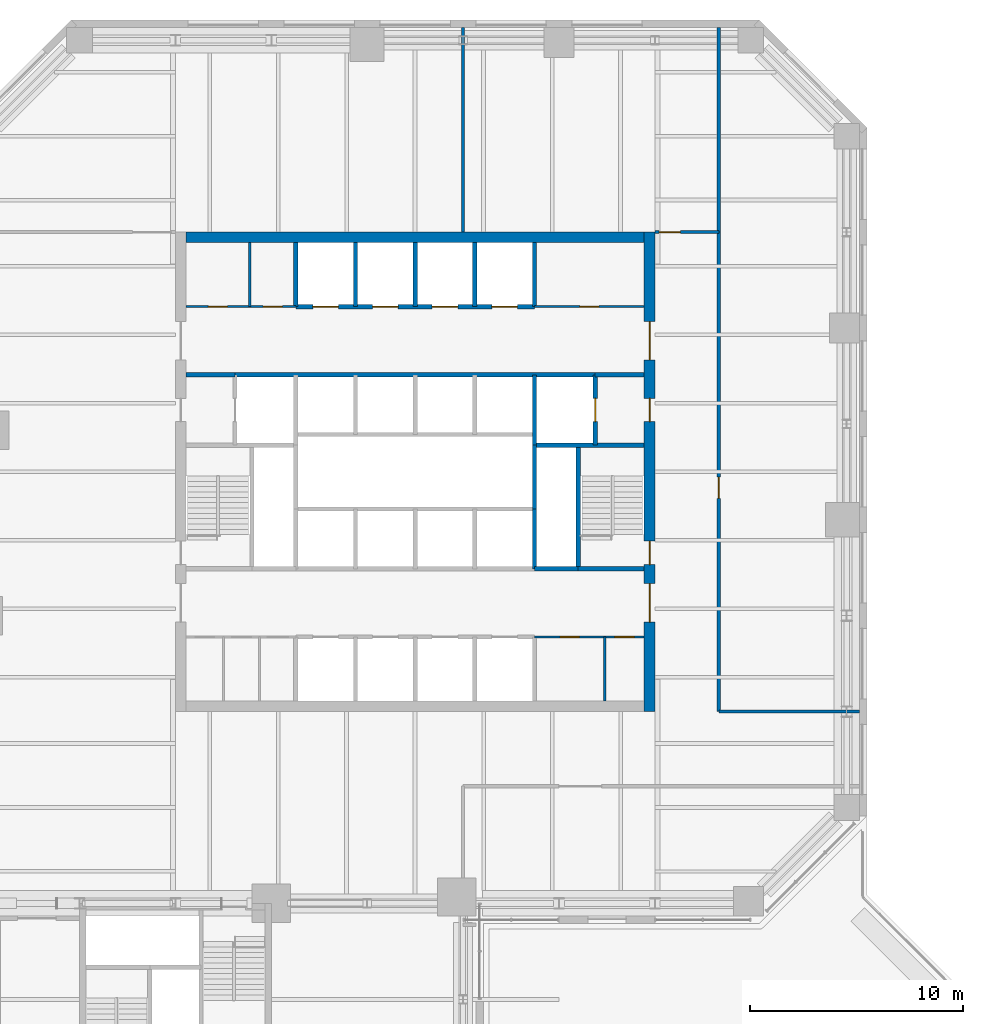
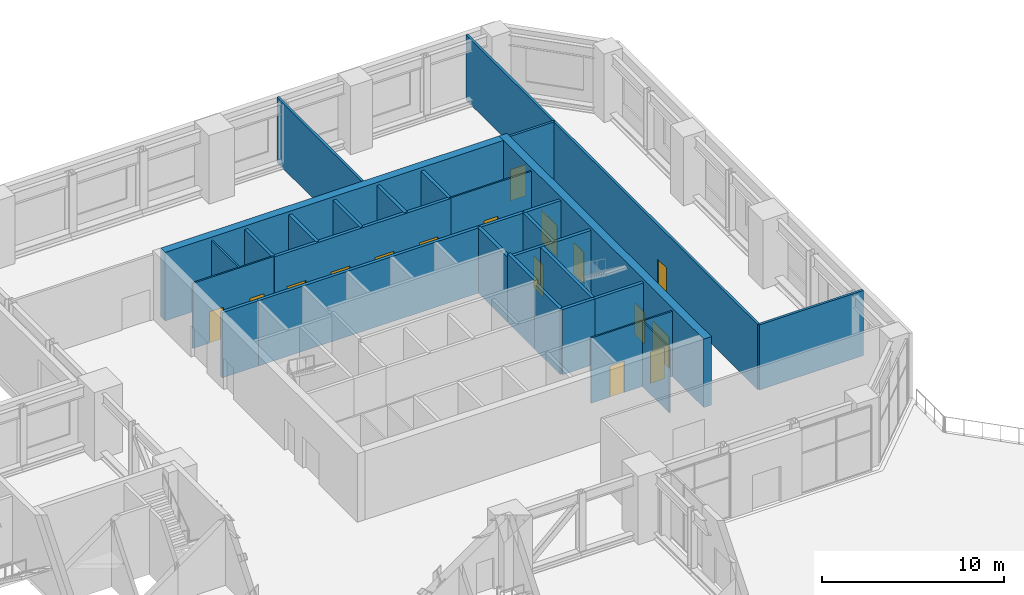
# One storey, part 16 of 21: 29 walls, 16 doors, 16 openings.
"""IFC4 building model written with IfcOpenShell, lengths in metres."""

import ifcopenshell
import ifcopenshell.guid

model = None  # the IFC model being written
_history = None  # IfcOwnerHistory: only IFC2X3 demands one
_inside = {}  # id of a spatial element -> (the spatial element, [elements in it])
_under = {}  # id of a project, library or spatial element -> (it, [spatial elements below it])
_declared = {}  # id of a project -> (the project, [libraries it declares])
_typed = {}  # id of a type object -> (the type object, [elements of that type])
_made_of = {}  # id of a material, layer set ... -> (it, [elements and type objects made of it])


def new_model(schema):
    """Start an empty IFC model of exactly this schema.

    Asked for "IFC4X3", IfcOpenShell would pick the latest addendum, in which some entities
    have other attributes; the version numbers below select the first issue.
    IFC2X3 requires an IfcOwnerHistory on every rooted entity: one is made here for all.
    """
    global model, _history
    if schema == "IFC4X3":
        model = ifcopenshell.file(schema_version=(4, 3, 0, 0))
    else:
        model = ifcopenshell.file(schema=schema)
    _inside.clear()
    _under.clear()
    _declared.clear()
    _typed.clear()
    _made_of.clear()
    _history = None
    if model.schema == "IFC2X3":
        org = make("IfcOrganization", Name="unknown")
        user = make(
            "IfcPersonAndOrganization",
            ThePerson=make("IfcPerson", FamilyName="unknown"),
            TheOrganization=org,
        )
        app = make(
            "IfcApplication",
            ApplicationDeveloper=org,
            Version="unknown",
            ApplicationFullName="unknown",
            ApplicationIdentifier="unknown",
        )
        _history = make(
            "IfcOwnerHistory",
            OwningUser=user,
            OwningApplication=app,
            ChangeAction="ADDED",
            CreationDate=0,
        )
    return model


def make(cls, **values):
    """One entity of the class cls with the attributes given. An attribute that is None is left unset."""
    return model.create_entity(
        cls, **{name: value for name, value in values.items() if value is not None}
    )


def rooted(cls, **values):
    """An entity with a GlobalId (a new one), such as an element, a storey or a relation."""
    return make(cls, GlobalId=ifcopenshell.guid.new(), OwnerHistory=_history, **values)


def si_unit(unit_type, name, prefix=None):
    """IfcSIUnit, for example si_unit("LENGTHUNIT", "METRE", prefix="MILLI")."""
    return make("IfcSIUnit", UnitType=unit_type, Prefix=prefix, Name=name)


def assignment(units):
    """IfcUnitAssignment: the units of a project."""
    return None if units is None else make("IfcUnitAssignment", Units=units)


def point(xyz):
    """IfcCartesianPoint."""
    return None if xyz is None else make("IfcCartesianPoint", Coordinates=xyz)


def direction(xyz):
    """IfcDirection."""
    return None if xyz is None else make("IfcDirection", DirectionRatios=xyz)


def frame(location, z_axis=None, x_axis=None):
    """IfcAxis2Placement3D, a coordinate frame: its origin and axes. An axis left out is left unset."""
    return make(
        "IfcAxis2Placement3D",
        Location=point(location),
        Axis=direction(z_axis),
        RefDirection=direction(x_axis),
    )


def frame_2d(location, x_axis=None):
    """IfcAxis2Placement2D, a coordinate frame in the plane: its origin and x axis."""
    return make(
        "IfcAxis2Placement2D", Location=point(location), RefDirection=direction(x_axis)
    )


def origin():
    """The frame at (0, 0, 0) with its axes left unset."""
    return frame((0.0, 0.0, 0.0))


def place(relative_to, where):
    """IfcLocalPlacement: puts the frame where relative to a parent placement (None: the world)."""
    return make(
        "IfcLocalPlacement", PlacementRelTo=relative_to, RelativePlacement=where
    )


def context(
    kind, dimensions, precision=None, world=None, true_north=None, identifier=None
):
    """IfcGeometricRepresentationContext, for example the 3D "Model" context."""
    return make(
        "IfcGeometricRepresentationContext",
        ContextIdentifier=identifier,
        ContextType=kind,
        CoordinateSpaceDimension=dimensions,
        Precision=precision,
        WorldCoordinateSystem=world,
        TrueNorth=true_north,
    )


def subcontext(parent, identifier, kind, view, scale=None):
    """IfcGeometricRepresentationSubContext, for example "Body" below "Model"."""
    return make(
        "IfcGeometricRepresentationSubContext",
        ContextIdentifier=identifier,
        ContextType=kind,
        ParentContext=parent,
        TargetScale=scale,
        TargetView=view,
    )


def project(units=None, contexts=None):
    """IfcProject with its units and contexts."""
    return rooted(
        "IfcProject",
        Name="project",
        RepresentationContexts=contexts,
        UnitsInContext=assignment(units),
    )


def spatial(cls, under=None, at=None, **own):
    """A site, building, storey or space (cls), placed at a placement, below another one or the project."""
    s = rooted(cls, ObjectPlacement=at, **own)
    if under is not None:
        _under.setdefault(under.id(), (under, []))[1].append(s)
    return s


def profile(cls, at=None, kind="AREA", **sizes):
    """A parametric profile (cls). Its sizes go by their IFC names, for example OverallWidth=200.0."""
    return make(cls, ProfileType=kind, Position=at, **sizes)


def rectangle(**sizes):
    """IfcRectangleProfileDef."""
    return profile("IfcRectangleProfileDef", **sizes)


def extrude(swept, where, along, depth):
    """IfcExtrudedAreaSolid: the profile swept, set in the frame where, extruded along a direction by depth."""
    return make(
        "IfcExtrudedAreaSolid",
        SweptArea=swept,
        Position=where,
        ExtrudedDirection=direction(along),
        Depth=depth,
    )


def shape(context_of_items, identifier, shape_type, items):
    """IfcShapeRepresentation: the items that make up one representation, for example the "Body"."""
    return make(
        "IfcShapeRepresentation",
        ContextOfItems=context_of_items,
        RepresentationIdentifier=identifier,
        RepresentationType=shape_type,
        Items=items,
    )


def material(Name=None, Category=None):
    """IfcMaterial."""
    return make("IfcMaterial", Name=Name, Category=Category)


def layer(
    of_material, thickness, ventilated=None, Name=None, Category=None, Priority=None
):
    """IfcMaterialLayer: one layer of a wall or slab, of a material (None: an air gap)."""
    return make(
        "IfcMaterialLayer",
        Material=of_material,
        LayerThickness=thickness,
        IsVentilated=ventilated,
        Name=Name,
        Category=Category,
        Priority=Priority,
    )


def layer_set(layers, Name=None):
    """IfcMaterialLayerSet."""
    return make("IfcMaterialLayerSet", MaterialLayers=layers, LayerSetName=Name)


def made_of(thing, what):
    """Note that an element or type object is made of a material, layer set ...; save() writes the relation."""
    if what is not None:
        _made_of.setdefault(what.id(), (what, []))[1].append(thing)
    return thing


def type_object(cls, material=None, **own):
    """A type object (cls), such as IfcWallType, which elements share."""
    return made_of(rooted(cls, **own), material)


def element(
    cls,
    number,
    at=None,
    inside=None,
    cuts=None,
    type_object=None,
    material=None,
    context=None,
    identifier="Body",
    shape_type=None,
    held_by="IfcProductDefinitionShape",
    body=None,
    shapes=None,
    **own,
):
    """One element of the class cls, such as IfcWall. Its Tag is "e" and its number.

    at: its placement. inside: the storey or other place that contains it. cuts: it is an
    opening in that element (IfcRelVoidsElement). A single representation is given by context,
    identifier, shape_type and body (its items); several are given by shapes. held_by: the class
    of the entity that holds the representations. save() writes the other relations.
    """
    e = rooted(cls, Tag="e%d" % number, ObjectPlacement=at, **own)
    if body is not None:
        shapes = [shape(context, identifier, shape_type, body)]
    if shapes is not None:
        e.Representation = make(held_by, Representations=shapes)
    if inside is not None:
        _inside.setdefault(inside.id(), (inside, []))[1].append(e)
    if cuts is not None:
        rooted(
            "IfcRelVoidsElement", RelatingBuildingElement=cuts, RelatedOpeningElement=e
        )
    if type_object is not None:
        _typed.setdefault(type_object.id(), (type_object, []))[1].append(e)
    return made_of(e, material)


def fill(opening, filler):
    """IfcRelFillsElement: the door or window that sits in an opening."""
    return rooted(
        "IfcRelFillsElement",
        RelatingOpeningElement=opening,
        RelatedBuildingElement=filler,
    )


def aggregate(whole, parts):
    """IfcRelAggregates: a whole, such as a stair, and the parts it consists of."""
    return rooted("IfcRelAggregates", RelatingObject=whole, RelatedObjects=parts)


def save(model, path):
    """Write the relations noted so far, then the file.

    IfcRelAggregates (storeys below a building ...), IfcRelContainedInSpatialStructure (elements
    in a storey), IfcRelDefinesByType, IfcRelAssociatesMaterial and IfcRelDeclares: one each for
    every whole, place, type object, material and project.
    """
    for whole, parts in _under.values():
        aggregate(whole, parts)
    for where, things in _inside.values():
        rooted(
            "IfcRelContainedInSpatialStructure",
            RelatedElements=things,
            RelatingStructure=where,
        )
    for kind, things in _typed.values():
        rooted("IfcRelDefinesByType", RelatedObjects=things, RelatingType=kind)
    for what, things in _made_of.values():
        rooted("IfcRelAssociatesMaterial", RelatedObjects=things, RelatingMaterial=what)
    for by, libraries in _declared.values():
        rooted("IfcRelDeclares", RelatingContext=by, RelatedDefinitions=libraries)
    model.write(path)


model = new_model("IFC4")

# Units and contexts
model_context = context("Model", 3, precision=1e-05, world=origin(), true_north=direction((0.0, 1.0)))
body_context = subcontext(model_context, "Body", "Model", "MODEL_VIEW")
ifc_project = project(units=[si_unit("LENGTHUNIT", "METRE"), si_unit("AREAUNIT", "SQUARE_METRE"), si_unit("VOLUMEUNIT", "CUBIC_METRE"), si_unit("PLANEANGLEUNIT", "RADIAN"), si_unit("MASSUNIT", "GRAM", prefix="KILO")], contexts=[model_context])

# Site, building, storey
site_placement = place(None, origin())
site = spatial("IfcSite", under=ifc_project, at=site_placement, CompositionType="ELEMENT")
building_placement = place(site_placement, origin())
building = spatial("IfcBuilding", under=site, at=building_placement, Name="Quoin Convention Tower", CompositionType="ELEMENT")
storey_placement = place(building_placement, frame((0.0, 0.0, 18.5)))
storey = spatial("IfcBuildingStorey", under=building, at=storey_placement, Name="L03", CompositionType="ELEMENT", Elevation=18.5)

# Wall, openings, doors
ifc_material_1 = material(Name="Plasterboard")
ifc_layer_1 = layer(ifc_material_1, 0.012451171875, Name="Finish")
ifc_material_2 = material(Name="Steel stud framing", Category="steel")
ifc_layer_2 = layer(ifc_material_2, 0.074951171875, Name="Structure")
ifc_layer_3 = layer(ifc_material_1, 0.012451171875, Name="Finish")
ifc_layer_set_1 = layer_set([ifc_layer_1, ifc_layer_2, ifc_layer_3], Name="Steel stud framing")
wall_type_1 = type_object("IfcWallType", Name="Core partition wall", PredefinedType="PARTITIONING", material=ifc_layer_set_1)
wall_1_placement = place(storey_placement, frame((61.85009765625, 53.0, 0.0), z_axis=(0.0, 0.0, 1.0), x_axis=(1.0, 0.0, 0.0)))
wall_1 = element("IfcWall", 1, at=wall_1_placement, inside=storey, type_object=wall_type_1, Name="cr-C1-L03-h3500_16850", PredefinedType="PARTITIONING", context=body_context, shape_type="SweptSolid", body=[
    extrude(rectangle(XDim=5.14990234375, YDim=0.10009765625, at=frame_2d((2.574951171875, 0.0))), origin(), (0.0, 0.0, 1.0), 4.3798828125),
])
opening_1_placement = place(wall_1_placement, frame((3.77294921875, 0.0, 0.0)))
opening_1 = element("IfcOpeningElement", 2, at=opening_1_placement, cuts=wall_1, Name="Opening DCV1-24", PredefinedType="OPENING", context=body_context, shape_type="SweptSolid", body=[
    extrude(rectangle(XDim=0.89990234375, YDim=2.10009765625, at=frame_2d((0.449951171875, 1.050048828125))), frame((0.0, 0.06005859375, 0.0), z_axis=(0.0, -1.0, 0.0), x_axis=(1.0, 0.0, 0.0)), (0.0, 0.0, 1.0), 0.1201171875),
])
opening_2_placement = place(wall_1_placement, frame((1.197998046875, 0.0, 0.0)))
opening_2 = element("IfcOpeningElement", 3, at=opening_2_placement, cuts=wall_1, Name="Opening DCV1-20", PredefinedType="OPENING", context=body_context, shape_type="SweptSolid", body=[
    extrude(rectangle(XDim=0.89990234375, YDim=2.10009765625, at=frame_2d((0.449951171875, 1.050048828125))), frame((0.0, 0.06005859375, 0.0), z_axis=(0.0, -1.0, 0.0), x_axis=(1.0, 0.0, 0.0)), (0.0, 0.0, 1.0), 0.1201171875),
])
ifc_material_3 = material(Name="Steel door leaf", Category="steel")
door_type_1 = type_object("IfcDoorType", Name="Core room door 900 x 2100", OperationType="SINGLE_SWING_LEFT", PredefinedType="DOOR", material=ifc_material_3)
door_1_placement = place(opening_1_placement, frame((0.89990234375, 0.0, 0.0), z_axis=(0.0, 0.0, 1.0), x_axis=(-1.0, 0.0, 0.0)))
door_1 = element("IfcDoor", 4, at=door_1_placement, inside=storey, type_object=door_type_1, Name="cd-C1-L03-CSE0-lobA-CD0310", OperationType="SINGLE_SWING_LEFT", OverallHeight=2.10009765625, OverallWidth=0.89990234375, PredefinedType="DOOR", context=body_context, shape_type="SweptSolid", body=[
    extrude(rectangle(XDim=0.89990234375, YDim=2.10009765625, at=frame_2d((0.449951171875, 1.050048828125))), frame((0.0, 0.02490234375, 0.0), z_axis=(0.0, -1.0, 0.0), x_axis=(1.0, 0.0, 0.0)), (0.0, 0.0, 1.0), 0.050048828125),
])
fill(opening_1, door_1)
door_2_placement = place(opening_2_placement, frame((0.89990234375, 0.0, 0.0), z_axis=(0.0, 0.0, 1.0), x_axis=(-1.0, 0.0, 0.0)))
door_2 = element("IfcDoor", 5, at=door_2_placement, inside=storey, type_object=door_type_1, Name="cd-C1-L03-CSE1-lobA-CD0311", OperationType="SINGLE_SWING_RIGHT", OverallHeight=2.10009765625, OverallWidth=0.89990234375, PredefinedType="DOOR", context=body_context, shape_type="SweptSolid", body=[
    extrude(rectangle(XDim=0.89990234375, YDim=2.10009765625, at=frame_2d((0.449951171875, 1.050048828125))), frame((0.0, 0.02490234375, 0.0), z_axis=(0.0, -1.0, 0.0), x_axis=(1.0, 0.0, 0.0)), (0.0, 0.0, 1.0), 0.050048828125),
])
fill(opening_2, door_2)

wall_2_placement = place(storey_placement, frame((45.5, 68.5, 0.0), z_axis=(0.0, 0.0, 1.0), x_axis=(1.0, 0.0, 0.0)))
wall_2 = element("IfcWall", 6, at=wall_2_placement, inside=storey, type_object=wall_type_1, Name="cr-C1-L03-h19000_500", PredefinedType="PARTITIONING", context=body_context, shape_type="SweptSolid", body=[
    extrude(rectangle(XDim=5.14990234375, YDim=0.10009765625, at=frame_2d((2.574951171875, 0.0))), origin(), (0.0, 0.0, 1.0), 4.3798828125),
])
opening_3_placement = place(wall_2_placement, frame((1.04345703125, 0.0, 0.0)))
opening_3 = element("IfcOpeningElement", 7, at=opening_3_placement, cuts=wall_2, Name="Opening DCV1-15", PredefinedType="OPENING", context=body_context, shape_type="SweptSolid", body=[
    extrude(rectangle(XDim=0.89990234375, YDim=2.10009765625, at=frame_2d((0.449951171875, 1.050048828125))), frame((0.0, 0.06005859375, 0.0), z_axis=(0.0, -1.0, 0.0), x_axis=(1.0, 0.0, 0.0)), (0.0, 0.0, 1.0), 0.1201171875),
])
opening_4_placement = place(wall_2_placement, frame((3.618408203125, 0.0, 0.0)))
opening_4 = element("IfcOpeningElement", 8, at=opening_4_placement, cuts=wall_2, Name="Opening DCV1-16", PredefinedType="OPENING", context=body_context, shape_type="SweptSolid", body=[
    extrude(rectangle(XDim=0.89990234375, YDim=2.10009765625, at=frame_2d((0.449951171875, 1.050048828125))), frame((0.0, 0.06005859375, 0.0), z_axis=(0.0, -1.0, 0.0), x_axis=(1.0, 0.0, 0.0)), (0.0, 0.0, 1.0), 0.1201171875),
])
door_3_placement = place(opening_3_placement, origin())
door_3 = element("IfcDoor", 9, at=door_3_placement, inside=storey, type_object=door_type_1, Name="cd-C1-L03-CNW0-lobB-CD0308", OperationType="SINGLE_SWING_RIGHT", OverallHeight=2.10009765625, OverallWidth=0.89990234375, PredefinedType="DOOR", context=body_context, shape_type="SweptSolid", body=[
    extrude(rectangle(XDim=0.89990234375, YDim=2.10009765625, at=frame_2d((0.449951171875, 1.050048828125))), frame((0.0, 0.02490234375, 0.0), z_axis=(0.0, -1.0, 0.0), x_axis=(1.0, 0.0, 0.0)), (0.0, 0.0, 1.0), 0.050048828125),
])
fill(opening_3, door_3)
door_4_placement = place(opening_4_placement, origin())
door_4 = element("IfcDoor", 10, at=door_4_placement, inside=storey, type_object=door_type_1, Name="cd-C1-L03-CNW1-lobB-CD0309", OperationType="SINGLE_SWING_RIGHT", OverallHeight=2.10009765625, OverallWidth=0.89990234375, PredefinedType="DOOR", context=body_context, shape_type="SweptSolid", body=[
    extrude(rectangle(XDim=0.89990234375, YDim=2.10009765625, at=frame_2d((0.449951171875, 1.050048828125))), frame((0.0, 0.02490234375, 0.0), z_axis=(0.0, -1.0, 0.0), x_axis=(1.0, 0.0, 0.0)), (0.0, 0.0, 1.0), 0.050048828125),
])
fill(opening_4, door_4)

# Wall, opening, door
wall_3_placement = place(storey_placement, frame((61.85009765625, 68.5, 0.0), z_axis=(0.0, 0.0, 1.0), x_axis=(1.0, 0.0, 0.0)))
wall_3 = element("IfcWall", 11, at=wall_3_placement, inside=storey, type_object=wall_type_1, Name="cr-C1-L03-h19000_16850", PredefinedType="PARTITIONING", context=body_context, shape_type="SweptSolid", body=[
    extrude(rectangle(XDim=5.14990234375, YDim=0.10009765625, at=frame_2d((2.574951171875, 0.0))), origin(), (0.0, 0.0, 1.0), 4.3798828125),
])
opening_5_placement = place(wall_3_placement, frame((2.125, 0.0, 0.0)))
opening_5 = element("IfcOpeningElement", 12, at=opening_5_placement, cuts=wall_3, Name="Opening DCV1-02", PredefinedType="OPENING", context=body_context, shape_type="SweptSolid", body=[
    extrude(rectangle(XDim=0.89990234375, YDim=2.10009765625, at=frame_2d((0.449951171875, 1.050048828125))), frame((0.0, 0.06005859375, 0.0), z_axis=(0.0, -1.0, 0.0), x_axis=(1.0, 0.0, 0.0)), (0.0, 0.0, 1.0), 0.1201171875),
])
door_5_placement = place(opening_5_placement, origin())
door_5 = element("IfcDoor", 13, at=door_5_placement, inside=storey, type_object=door_type_1, Name="cd-C1-L03-CNE0-lobB-CD0307", OperationType="SINGLE_SWING_LEFT", OverallHeight=2.10009765625, OverallWidth=0.89990234375, PredefinedType="DOOR", context=body_context, shape_type="SweptSolid", body=[
    extrude(rectangle(XDim=0.89990234375, YDim=2.10009765625, at=frame_2d((0.449951171875, 1.050048828125))), frame((0.0, 0.02490234375, 0.0), z_axis=(0.0, -1.0, 0.0), x_axis=(1.0, 0.0, 0.0)), (0.0, 0.0, 1.0), 0.050048828125),
])
fill(opening_5, door_5)

# Walls
for number, where, z_axis, x_axis, name in (
    (14, (48.487060546875, 68.5, 0.0), (0.0, 0.0, 1.0), (0.0, 1.0, 0.0), "cr-C1-L03-v3487_19000"),
    (15, (65.14599609375, 50.0, 0.0), (0.0, 0.0, 1.0), (0.0, 1.0, 0.0), "cr-C1-L03-v20146_500"),
):
    element("IfcWall", number, at=place(storey_placement, frame(where, z_axis=z_axis, x_axis=x_axis)), inside=storey, type_object=wall_type_1, Name=name, PredefinedType="PARTITIONING", context=body_context, shape_type="SweptSolid", body=[
        extrude(rectangle(XDim=3.0, YDim=0.10009765625, at=frame_2d((1.5, 0.0))), origin(), (0.0, 0.0, 1.0), 4.3798828125),
    ])
ifc_material_4 = material(Name="Concrete C50", Category="concrete")
ifc_layer_4 = layer(ifc_material_4, 0.199951171875)
ifc_layer_set_2 = layer_set([ifc_layer_4], Name="Concrete C50")
wall_type_2 = type_object("IfcWallType", Name="Core shaft wall", PredefinedType="SOLIDWALL", material=ifc_layer_set_2)
wall_4_placement = place(storey_placement, frame((61.85009765625, 56.199951171875, 0.0), z_axis=(0.0, 0.0, 1.0), x_axis=(1.0, 0.0, 0.0)))
element("IfcWall", 16, at=wall_4_placement, inside=storey, type_object=wall_type_2, Name="cr-C1-L03-h6700_16850", PredefinedType="SOLIDWALL", context=body_context, shape_type="SweptSolid", body=[
    extrude(rectangle(XDim=2.0498046875, YDim=0.199951171875, at=frame_2d((1.02490234375, 0.0))), origin(), (0.0, 0.0, 1.0), 4.3798828125),
])
wall_5_placement = place(storey_placement, frame((63.89990234375, 56.199951171875, 0.0), z_axis=(0.0, 0.0, 1.0), x_axis=(1.0, 0.0, 0.0)))
element("IfcWall", 17, at=wall_5_placement, inside=storey, type_object=wall_type_2, Name="cr-C1-L03-h6700_18900", PredefinedType="SOLIDWALL", context=body_context, shape_type="SweptSolid", body=[
    extrude(rectangle(XDim=3.10009765625, YDim=0.199951171875, at=frame_2d((1.550048828125, 0.0))), origin(), (0.0, 0.0, 1.0), 4.3798828125),
])
wall_6_placement = place(storey_placement, frame((61.85009765625, 62.0, 0.0), z_axis=(0.0, 0.0, 1.0), x_axis=(1.0, 0.0, 0.0)))
element("IfcWall", 18, at=wall_6_placement, inside=storey, type_object=wall_type_2, Name="cr-C1-L03-h12500_16850", PredefinedType="SOLIDWALL", context=body_context, shape_type="SweptSolid", body=[
    extrude(rectangle(XDim=5.14990234375, YDim=0.199951171875, at=frame_2d((2.574951171875, 0.0))), origin(), (0.0, 0.0, 1.0), 4.3798828125),
])
for number, where, z_axis, x_axis, name in (
    (19, (45.5, 65.300048828125, 0.0), (0.0, 0.0, 1.0), (1.0, 0.0, 0.0), "cr-C1-L03-h15800_500"),
    (20, (64.699951171875, 65.300048828125, 0.0), (0.0, 0.0, 1.0), (1.0, 0.0, 0.0), "cr-C1-L03-h15800_19700"),
):
    element("IfcWall", number, at=place(storey_placement, frame(where, z_axis=z_axis, x_axis=x_axis)), inside=storey, type_object=wall_type_2, Name=name, PredefinedType="SOLIDWALL", context=body_context, shape_type="SweptSolid", body=[
        extrude(rectangle(XDim=2.300048828125, YDim=0.199951171875, at=frame_2d((1.14990234375, 0.0))), origin(), (0.0, 0.0, 1.0), 4.3798828125),
    ])
wall_7_placement = place(storey_placement, frame((47.800048828125, 65.300048828125, 0.0), z_axis=(0.0, 0.0, 1.0), x_axis=(1.0, 0.0, 0.0)))
element("IfcWall", 21, at=wall_7_placement, inside=storey, type_object=wall_type_2, Name="cr-C1-L03-h15800_2800", PredefinedType="SOLIDWALL", context=body_context, shape_type="SweptSolid", body=[
    extrude(rectangle(XDim=16.89990234375, YDim=0.199951171875, at=frame_2d((8.449951171875, 0.0))), origin(), (0.0, 0.0, 1.0), 4.3798828125),
])

# Wall, openings, doors
wall_8_placement = place(storey_placement, frame((50.64990234375, 68.5, 0.0), z_axis=(0.0, 0.0, 1.0), x_axis=(1.0, 0.0, 0.0)))
wall_8 = element("IfcWall", 22, at=wall_8_placement, inside=storey, type_object=wall_type_2, Name="cr-C1-L03-h19000_5650", PredefinedType="SOLIDWALL", context=body_context, shape_type="SweptSolid", body=[
    extrude(rectangle(XDim=11.2001953125, YDim=0.199951171875, at=frame_2d((5.60009765625, 0.0))), origin(), (0.0, 0.0, 1.0), 4.3798828125),
])
opening_6_placement = place(wall_8_placement, frame((0.800048828125, 0.0, 0.0)))
opening_6 = element("IfcOpeningElement", 23, at=opening_6_placement, cuts=wall_8, Name="Opening LDL5", PredefinedType="OPENING", context=body_context, shape_type="SweptSolid", body=[
    extrude(rectangle(XDim=1.199951171875, YDim=2.10009765625, at=frame_2d((0.60009765625, 1.050048828125))), frame((0.0, 0.10986328125, 0.0), z_axis=(0.0, -1.0, 0.0), x_axis=(1.0, 0.0, 0.0)), (0.0, 0.0, 1.0), 0.219970703125),
])
opening_7_placement = place(wall_8_placement, frame((3.60009765625, 0.0, 0.0)))
opening_7 = element("IfcOpeningElement", 24, at=opening_7_placement, cuts=wall_8, Name="Opening LDL6", PredefinedType="OPENING", context=body_context, shape_type="SweptSolid", body=[
    extrude(rectangle(XDim=1.199951171875, YDim=2.10009765625, at=frame_2d((0.60009765625, 1.050048828125))), frame((0.0, 0.10986328125, 0.0), z_axis=(0.0, -1.0, 0.0), x_axis=(1.0, 0.0, 0.0)), (0.0, 0.0, 1.0), 0.219970703125),
])
opening_8_placement = place(wall_8_placement, frame((6.39990234375, 0.0, 0.0)))
opening_8 = element("IfcOpeningElement", 25, at=opening_8_placement, cuts=wall_8, Name="Opening LDL7", PredefinedType="OPENING", context=body_context, shape_type="SweptSolid", body=[
    extrude(rectangle(XDim=1.199951171875, YDim=2.10009765625, at=frame_2d((0.60009765625, 1.050048828125))), frame((0.0, 0.10986328125, 0.0), z_axis=(0.0, -1.0, 0.0), x_axis=(1.0, 0.0, 0.0)), (0.0, 0.0, 1.0), 0.219970703125),
])
opening_9_placement = place(wall_8_placement, frame((9.199951171875, 0.0, 0.0)))
opening_9 = element("IfcOpeningElement", 26, at=opening_9_placement, cuts=wall_8, Name="Opening LDL8", PredefinedType="OPENING", context=body_context, shape_type="SweptSolid", body=[
    extrude(rectangle(XDim=1.199951171875, YDim=2.10009765625, at=frame_2d((0.60009765625, 1.050048828125))), frame((0.0, 0.10986328125, 0.0), z_axis=(0.0, -1.0, 0.0), x_axis=(1.0, 0.0, 0.0)), (0.0, 0.0, 1.0), 0.219970703125),
])
door_type_2 = type_object("IfcDoorType", Name="Lift landing door 1200 x 2100", OperationType="DOUBLE_DOOR_SLIDING", PredefinedType="DOOR", material=ifc_material_3)
door_6_placement = place(opening_6_placement, origin())
door_6 = element("IfcDoor", 27, at=door_6_placement, inside=storey, type_object=door_type_2, Name="cd-C1-L03-R40-lobB-LDL5", OperationType="DOUBLE_DOOR_SLIDING", OverallHeight=2.10009765625, OverallWidth=1.199951171875, PredefinedType="DOOR", context=body_context, shape_type="SweptSolid", body=[
    extrude(rectangle(XDim=1.199951171875, YDim=2.10009765625, at=frame_2d((0.60009765625, 1.050048828125))), frame((0.0, 0.02490234375, 0.0), z_axis=(0.0, -1.0, 0.0), x_axis=(1.0, 0.0, 0.0)), (0.0, 0.0, 1.0), 0.050048828125),
])
fill(opening_6, door_6)
door_7_placement = place(opening_7_placement, origin())
door_7 = element("IfcDoor", 28, at=door_7_placement, inside=storey, type_object=door_type_2, Name="cd-C1-L03-R41-lobB-LDL6", OperationType="DOUBLE_DOOR_SLIDING", OverallHeight=2.10009765625, OverallWidth=1.199951171875, PredefinedType="DOOR", context=body_context, shape_type="SweptSolid", body=[
    extrude(rectangle(XDim=1.199951171875, YDim=2.10009765625, at=frame_2d((0.60009765625, 1.050048828125))), frame((0.0, 0.02490234375, 0.0), z_axis=(0.0, -1.0, 0.0), x_axis=(1.0, 0.0, 0.0)), (0.0, 0.0, 1.0), 0.050048828125),
])
fill(opening_7, door_7)
door_8_placement = place(opening_8_placement, origin())
door_8 = element("IfcDoor", 29, at=door_8_placement, inside=storey, type_object=door_type_2, Name="cd-C1-L03-R42-lobB-LDL7", OperationType="DOUBLE_DOOR_SLIDING", OverallHeight=2.10009765625, OverallWidth=1.199951171875, PredefinedType="DOOR", context=body_context, shape_type="SweptSolid", body=[
    extrude(rectangle(XDim=1.199951171875, YDim=2.10009765625, at=frame_2d((0.60009765625, 1.050048828125))), frame((0.0, 0.02490234375, 0.0), z_axis=(0.0, -1.0, 0.0), x_axis=(1.0, 0.0, 0.0)), (0.0, 0.0, 1.0), 0.050048828125),
])
fill(opening_8, door_8)
door_9_placement = place(opening_9_placement, origin())
door_9 = element("IfcDoor", 30, at=door_9_placement, inside=storey, type_object=door_type_2, Name="cd-C1-L03-R43-lobB-LDL8", OperationType="DOUBLE_DOOR_SLIDING", OverallHeight=2.10009765625, OverallWidth=1.199951171875, PredefinedType="DOOR", context=body_context, shape_type="SweptSolid", body=[
    extrude(rectangle(XDim=1.199951171875, YDim=2.10009765625, at=frame_2d((0.60009765625, 1.050048828125))), frame((0.0, 0.02490234375, 0.0), z_axis=(0.0, -1.0, 0.0), x_axis=(1.0, 0.0, 0.0)), (0.0, 0.0, 1.0), 0.050048828125),
])
fill(opening_9, door_9)

# Walls
for number, where, z_axis, x_axis, name in (
    (31, (50.64990234375, 68.5, 0.0), (0.0, 0.0, 1.0), (0.0, 1.0, 0.0), "cr-C1-L03-v5650_19000"),
    (32, (53.449951171875, 68.5, 0.0), (0.0, 0.0, 1.0), (0.0, 1.0, 0.0), "cr-C1-L03-v8450_19000"),
    (33, (56.25, 68.5, 0.0), (0.0, 0.0, 1.0), (0.0, 1.0, 0.0), "cr-C1-L03-v11250_19000"),
    (34, (59.050048828125, 68.5, 0.0), (0.0, 0.0, 1.0), (0.0, 1.0, 0.0), "cr-C1-L03-v14050_19000"),
):
    element("IfcWall", number, at=place(storey_placement, frame(where, z_axis=z_axis, x_axis=x_axis)), inside=storey, type_object=wall_type_2, Name=name, PredefinedType="SOLIDWALL", context=body_context, shape_type="SweptSolid", body=[
        extrude(rectangle(XDim=3.0, YDim=0.199951171875, at=frame_2d((1.5, 0.0))), origin(), (0.0, 0.0, 1.0), 4.3798828125),
    ])
wall_9_placement = place(storey_placement, frame((61.85009765625, 56.199951171875, 0.0), z_axis=(0.0, 0.0, 1.0), x_axis=(0.0, 1.0, 0.0)))
element("IfcWall", 35, at=wall_9_placement, inside=storey, type_object=wall_type_2, Name="cr-C1-L03-v16850_6700", PredefinedType="SOLIDWALL", context=body_context, shape_type="SweptSolid", body=[
    extrude(rectangle(XDim=2.800048828125, YDim=0.199951171875, at=frame_2d((1.39990234375, 0.0))), origin(), (0.0, 0.0, 1.0), 4.3798828125),
])
wall_10_placement = place(storey_placement, frame((61.85009765625, 62.0, 0.0), z_axis=(0.0, 0.0, 1.0), x_axis=(0.0, 1.0, 0.0)))
element("IfcWall", 36, at=wall_10_placement, inside=storey, type_object=wall_type_2, Name="cr-C1-L03-v16850_12500", PredefinedType="SOLIDWALL", context=body_context, shape_type="SweptSolid", body=[
    extrude(rectangle(XDim=3.300048828125, YDim=0.199951171875, at=frame_2d((1.64990234375, 0.0))), origin(), (0.0, 0.0, 1.0), 4.3798828125),
])
wall_11_placement = place(storey_placement, frame((61.85009765625, 68.5, 0.0), z_axis=(0.0, 0.0, 1.0), x_axis=(0.0, 1.0, 0.0)))
element("IfcWall", 37, at=wall_11_placement, inside=storey, type_object=wall_type_2, Name="cr-C1-L03-v16850_19000", PredefinedType="SOLIDWALL", context=body_context, shape_type="SweptSolid", body=[
    extrude(rectangle(XDim=3.0, YDim=0.199951171875, at=frame_2d((1.5, 0.0))), origin(), (0.0, 0.0, 1.0), 4.3798828125),
])
wall_12_placement = place(storey_placement, frame((63.89990234375, 56.199951171875, 0.0), z_axis=(0.0, 0.0, 1.0), x_axis=(0.0, 1.0, 0.0)))
element("IfcWall", 38, at=wall_12_placement, inside=storey, type_object=wall_type_2, Name="cr-C1-L03-v18900_6700", PredefinedType="SOLIDWALL", context=body_context, shape_type="SweptSolid", body=[
    extrude(rectangle(XDim=5.800048828125, YDim=0.199951171875, at=frame_2d((2.89990234375, 0.0))), origin(), (0.0, 0.0, 1.0), 4.3798828125),
])

# Wall, opening, door
wall_13_placement = place(storey_placement, frame((64.699951171875, 62.0, 0.0), z_axis=(0.0, 0.0, 1.0), x_axis=(0.0, 1.0, 0.0)))
wall_13 = element("IfcWall", 39, at=wall_13_placement, inside=storey, type_object=wall_type_2, Name="cr-C1-L03-v19700_12500", PredefinedType="SOLIDWALL", context=body_context, shape_type="SweptSolid", body=[
    extrude(rectangle(XDim=3.300048828125, YDim=0.199951171875, at=frame_2d((1.64990234375, 0.0))), origin(), (0.0, 0.0, 1.0), 4.3798828125),
])
opening_10_placement = place(wall_13_placement, frame((1.10009765625, 0.0, 0.0)))
opening_10 = element("IfcOpeningElement", 40, at=opening_10_placement, cuts=wall_13, Name="Opening LDFL2", PredefinedType="OPENING", context=body_context, shape_type="SweptSolid", body=[
    extrude(rectangle(XDim=1.10009765625, YDim=2.10009765625, at=frame_2d((0.550048828125, 1.050048828125))), frame((0.0, 0.10986328125, 0.0), z_axis=(0.0, -1.0, 0.0), x_axis=(1.0, 0.0, 0.0)), (0.0, 0.0, 1.0), 0.219970703125),
])
door_type_3 = type_object("IfcDoorType", Name="Lift landing door 1100 x 2100", OperationType="DOUBLE_DOOR_SLIDING", PredefinedType="DOOR", material=ifc_material_3)
door_10_placement = place(opening_10_placement, origin())
door_10 = element("IfcDoor", 41, at=door_10_placement, inside=storey, type_object=door_type_3, Name="cd-C1-L03-FLE-FFE-LDFL2", OperationType="DOUBLE_DOOR_SLIDING", OverallHeight=2.10009765625, OverallWidth=1.10009765625, PredefinedType="DOOR", context=body_context, shape_type="SweptSolid", body=[
    extrude(rectangle(XDim=1.10009765625, YDim=2.10009765625, at=frame_2d((0.550048828125, 1.050048828125))), frame((0.0, 0.02490234375, 0.0), z_axis=(0.0, -1.0, 0.0), x_axis=(1.0, 0.0, 0.0)), (0.0, 0.0, 1.0), 0.050048828125),
])
fill(opening_10, door_10)

# Walls
ifc_layer_5 = layer(ifc_material_4, 0.199951171875)
ifc_layer_set_3 = layer_set([ifc_layer_5], Name="Concrete C50")
wall_type_3 = type_object("IfcWallType", Name="Core shaft wall to the floor level over", PredefinedType="SOLIDWALL", material=ifc_layer_set_3)
wall_14_placement = place(storey_placement, frame((61.85009765625, 59.0, 0.0), z_axis=(0.0, 0.0, 1.0), x_axis=(0.0, 1.0, 0.0)))
element("IfcWall", 42, at=wall_14_placement, inside=storey, type_object=wall_type_3, Name="cr-C1-L03-v16850_9500", PredefinedType="SOLIDWALL", context=body_context, shape_type="SweptSolid", body=[
    extrude(rectangle(XDim=3.0, YDim=0.199951171875, at=frame_2d((1.5, 0.0))), origin(), (0.0, 0.0, 1.0), 4.60009765625),
])
ifc_layer_6 = layer(ifc_material_1, 0.012451171875, Name="Finish")
ifc_layer_7 = layer(ifc_material_2, 0.125, Name="Structure")
ifc_layer_8 = layer(ifc_material_1, 0.012451171875, Name="Finish")
ifc_layer_set_4 = layer_set([ifc_layer_6, ifc_layer_7, ifc_layer_8], Name="Steel stud framing")
wall_type_4 = type_object("IfcWallType", Name="Partition wall 150", PredefinedType="PARTITIONING", material=ifc_layer_set_4)
wall_15_placement = place(storey_placement, frame((70.5, 49.5, 0.0), z_axis=(0.0, 0.0, 1.0), x_axis=(1.0, 0.0, 0.0)))
element("IfcWall", 43, at=wall_15_placement, inside=storey, type_object=wall_type_4, Name="pw-L03-016", PredefinedType="PARTITIONING", context=body_context, shape_type="SweptSolid", body=[
    extrude(rectangle(XDim=6.60009765625, YDim=0.14990234375, at=frame_2d((3.300048828125, 0.0))), origin(), (0.0, 0.0, 1.0), 4.3798828125),
])

# Wall, opening, door
wall_16_placement = place(storey_placement, frame((70.5, 49.5, 0.0), z_axis=(0.0, 0.0, 1.0), x_axis=(0.0, 1.0, 0.0)))
wall_16 = element("IfcWall", 44, at=wall_16_placement, inside=storey, type_object=wall_type_4, Name="pw-L03-017", PredefinedType="PARTITIONING", context=body_context, shape_type="SweptSolid", body=[
    extrude(rectangle(XDim=22.5, YDim=0.14990234375, at=frame_2d((11.25, 0.0))), origin(), (0.0, 0.0, 1.0), 4.3798828125),
])
opening_11_placement = place(wall_16_placement, frame((10.0, 0.0, 0.0)))
opening_11 = element("IfcOpeningElement", 45, at=opening_11_placement, cuts=wall_16, Name="Opening DPD3-10", PredefinedType="OPENING", context=body_context, shape_type="SweptSolid", body=[
    extrude(rectangle(XDim=1.0, YDim=2.10009765625, at=frame_2d((0.5, 1.050048828125))), frame((0.0, 0.0849609375, 0.0), z_axis=(0.0, -1.0, 0.0), x_axis=(1.0, 0.0, 0.0)), (0.0, 0.0, 1.0), 0.169921875),
])
door_type_4 = type_object("IfcDoorType", Name="Single leaf door 1000", OperationType="SINGLE_SWING_LEFT", PredefinedType="DOOR", material=ifc_material_3)
door_11_placement = place(opening_11_placement, frame((1.0, 0.0, 0.0), z_axis=(0.0, 0.0, 1.0), x_axis=(-1.0, 0.0, 0.0)))
door_11 = element("IfcDoor", 46, at=door_11_placement, inside=storey, type_object=door_type_4, Name="dr-L03-014", OperationType="SINGLE_SWING_RIGHT", OverallHeight=2.10009765625, OverallWidth=1.0, PredefinedType="DOOR", context=body_context, shape_type="SweptSolid", body=[
    extrude(rectangle(XDim=1.0, YDim=2.10009765625, at=frame_2d((0.5, 1.050048828125))), frame((0.0, 0.02490234375, 0.0), z_axis=(0.0, -1.0, 0.0), x_axis=(1.0, 0.0, 0.0)), (0.0, 0.0, 1.0), 0.050048828125),
])
fill(opening_11, door_11)

# Wall
wall_17_placement = place(storey_placement, frame((58.5, 72.0, 0.0), z_axis=(0.0, 0.0, 1.0), x_axis=(0.0, 1.0, 0.0)))
element("IfcWall", 47, at=wall_17_placement, inside=storey, type_object=wall_type_4, Name="pw-L03-024", PredefinedType="PARTITIONING", context=body_context, shape_type="SweptSolid", body=[
    extrude(rectangle(XDim=9.60009765625, YDim=0.14990234375, at=frame_2d((4.800048828125, 0.0))), origin(), (0.0, 0.0, 1.0), 4.3798828125),
])

# Wall, opening, door
wall_18_placement = place(storey_placement, frame((67.5, 72.0, 0.0), z_axis=(0.0, 0.0, 1.0), x_axis=(1.0, 0.0, 0.0)))
wall_18 = element("IfcWall", 48, at=wall_18_placement, inside=storey, type_object=wall_type_4, Name="pw-L03-025", PredefinedType="PARTITIONING", context=body_context, shape_type="SweptSolid", body=[
    extrude(rectangle(XDim=3.0, YDim=0.14990234375, at=frame_2d((1.5, 0.0))), origin(), (0.0, 0.0, 1.0), 4.3798828125),
])
opening_12_placement = place(wall_18_placement, frame((0.199951171875, 0.0, 0.0)))
opening_12 = element("IfcOpeningElement", 49, at=opening_12_placement, cuts=wall_18, Name="Opening DPD3-13", PredefinedType="OPENING", context=body_context, shape_type="SweptSolid", body=[
    extrude(rectangle(XDim=1.0, YDim=2.10009765625, at=frame_2d((0.5, 1.050048828125))), frame((0.0, 0.0849609375, 0.0), z_axis=(0.0, -1.0, 0.0), x_axis=(1.0, 0.0, 0.0)), (0.0, 0.0, 1.0), 0.169921875),
])
door_12_placement = place(opening_12_placement, origin())
door_12 = element("IfcDoor", 50, at=door_12_placement, inside=storey, type_object=door_type_4, Name="dr-L03-013", OperationType="SINGLE_SWING_LEFT", OverallHeight=2.10009765625, OverallWidth=1.0, PredefinedType="DOOR", context=body_context, shape_type="SweptSolid", body=[
    extrude(rectangle(XDim=1.0, YDim=2.10009765625, at=frame_2d((0.5, 1.050048828125))), frame((0.0, 0.02490234375, 0.0), z_axis=(0.0, -1.0, 0.0), x_axis=(1.0, 0.0, 0.0)), (0.0, 0.0, 1.0), 0.050048828125),
])
fill(opening_12, door_12)

# Walls
wall_19_placement = place(storey_placement, frame((70.5, 72.0, 0.0), z_axis=(0.0, 0.0, 1.0), x_axis=(0.0, 1.0, 0.0)))
element("IfcWall", 51, at=wall_19_placement, inside=storey, type_object=wall_type_4, Name="pw-L03-026", PredefinedType="PARTITIONING", context=body_context, shape_type="SweptSolid", body=[
    extrude(rectangle(XDim=9.60009765625, YDim=0.14990234375, at=frame_2d((4.800048828125, 0.0))), origin(), (0.0, 0.0, 1.0), 4.3798828125),
])
ifc_material_5 = material(Name="Concrete C80", Category="concrete")
ifc_layer_9 = layer(ifc_material_5, 0.5)
ifc_layer_set_5 = layer_set([ifc_layer_9], Name="Concrete C80")
wall_type_5 = type_object("IfcWallType", Name="RC CORE WALL 500 C80", PredefinedType="SHEAR", material=ifc_layer_set_5)
wall_20_placement = place(storey_placement, frame((45.5, 71.75, 0.0), z_axis=(0.0, 0.0, 1.0), x_axis=(1.0, 0.0, 0.0)))
element("IfcWall", 52, at=wall_20_placement, inside=storey, type_object=wall_type_5, Name="cwl-C1-L03-N", PredefinedType="SHEAR", context=body_context, shape_type="SweptSolid", body=[
    extrude(rectangle(XDim=21.5, YDim=0.5, at=frame_2d((10.75, 0.0))), origin(), (0.0, 0.0, 1.0), 4.60009765625),
])

# Wall, openings, doors
wall_21_placement = place(storey_placement, frame((67.25, 49.5, 0.0), z_axis=(0.0, 0.0, 1.0), x_axis=(0.0, 1.0, 0.0)))
wall_21 = element("IfcWall", 53, at=wall_21_placement, inside=storey, type_object=wall_type_5, Name="cwl-C1-L03-E", PredefinedType="SHEAR", context=body_context, shape_type="SweptSolid", body=[
    extrude(rectangle(XDim=22.5, YDim=0.5, at=frame_2d((11.25, 0.0))), origin(), (0.0, 0.0, 1.0), 4.60009765625),
])
opening_13_placement = place(wall_21_placement, frame((4.199951171875, 0.0, 0.0)))
opening_13 = element("IfcOpeningElement", 54, at=opening_13_placement, cuts=wall_21, Name="Opening DCV1-47", PredefinedType="OPENING", context=body_context, shape_type="SweptSolid", body=[
    extrude(rectangle(XDim=1.800048828125, YDim=2.10009765625, at=frame_2d((0.89990234375, 1.050048828125))), frame((0.0, 0.260009765625, 0.0), z_axis=(0.0, -1.0, 0.0), x_axis=(1.0, 0.0, 0.0)), (0.0, 0.0, 1.0), 0.52001953125),
])
opening_14_placement = place(wall_21_placement, frame((6.89990234375, 0.0, 0.0)))
opening_14 = element("IfcOpeningElement", 55, at=opening_14_placement, cuts=wall_21, Name="Opening SD2", PredefinedType="OPENING", context=body_context, shape_type="SweptSolid", body=[
    extrude(rectangle(XDim=1.10009765625, YDim=2.10009765625, at=frame_2d((0.550048828125, 1.050048828125))), frame((0.0, 0.260009765625, 0.0), z_axis=(0.0, -1.0, 0.0), x_axis=(1.0, 0.0, 0.0)), (0.0, 0.0, 1.0), 0.52001953125),
])
opening_15_placement = place(wall_21_placement, frame((13.60009765625, 0.0, 0.0)))
opening_15 = element("IfcOpeningElement", 56, at=opening_15_placement, cuts=wall_21, Name="Opening DCV1-46", PredefinedType="OPENING", context=body_context, shape_type="SweptSolid", body=[
    extrude(rectangle(XDim=1.10009765625, YDim=2.10009765625, at=frame_2d((0.550048828125, 1.050048828125))), frame((0.0, 0.260009765625, 0.0), z_axis=(0.0, -1.0, 0.0), x_axis=(1.0, 0.0, 0.0)), (0.0, 0.0, 1.0), 0.52001953125),
])
opening_16_placement = place(wall_21_placement, frame((16.5, 0.0, 0.0)))
opening_16 = element("IfcOpeningElement", 57, at=opening_16_placement, cuts=wall_21, Name="Opening DCV1-47", PredefinedType="OPENING", context=body_context, shape_type="SweptSolid", body=[
    extrude(rectangle(XDim=1.800048828125, YDim=2.10009765625, at=frame_2d((0.89990234375, 1.050048828125))), frame((0.0, 0.260009765625, 0.0), z_axis=(0.0, -1.0, 0.0), x_axis=(1.0, 0.0, 0.0)), (0.0, 0.0, 1.0), 0.52001953125),
])
door_type_5 = type_object("IfcDoorType", Name="Fire-fighting lobby door 1100 x 2100", OperationType="SINGLE_SWING_LEFT", PredefinedType="DOOR", material=ifc_material_3)
door_13_placement = place(opening_15_placement, origin())
door_13 = element("IfcDoor", 58, at=door_13_placement, inside=storey, type_object=door_type_5, Name="cd-C1-L03-FFE-E", OperationType="SINGLE_SWING_RIGHT", OverallHeight=2.10009765625, OverallWidth=1.10009765625, PredefinedType="DOOR", context=body_context, shape_type="SweptSolid", body=[
    extrude(rectangle(XDim=1.10009765625, YDim=2.10009765625, at=frame_2d((0.550048828125, 1.050048828125))), frame((0.0, 0.02490234375, 0.0), z_axis=(0.0, -1.0, 0.0), x_axis=(1.0, 0.0, 0.0)), (0.0, 0.0, 1.0), 0.050048828125),
])
fill(opening_15, door_13)
door_type_6 = type_object("IfcDoorType", Name="Lift lobby door 1800 x 2100", OperationType="SINGLE_SWING_LEFT", PredefinedType="DOOR", material=ifc_material_3)
door_14_placement = place(opening_13_placement, origin())
door_14 = element("IfcDoor", 59, at=door_14_placement, inside=storey, type_object=door_type_6, Name="cd-C1-L03-lobA-E", OperationType="SINGLE_SWING_RIGHT", OverallHeight=2.10009765625, OverallWidth=1.800048828125, PredefinedType="DOOR", context=body_context, shape_type="SweptSolid", body=[
    extrude(rectangle(XDim=1.800048828125, YDim=2.10009765625, at=frame_2d((0.89990234375, 1.050048828125))), frame((0.0, 0.02490234375, 0.0), z_axis=(0.0, -1.0, 0.0), x_axis=(1.0, 0.0, 0.0)), (0.0, 0.0, 1.0), 0.050048828125),
])
fill(opening_13, door_14)
door_15_placement = place(opening_16_placement, origin())
door_15 = element("IfcDoor", 60, at=door_15_placement, inside=storey, type_object=door_type_6, Name="cd-C1-L03-lobB-E", OperationType="SINGLE_SWING_RIGHT", OverallHeight=2.10009765625, OverallWidth=1.800048828125, PredefinedType="DOOR", context=body_context, shape_type="SweptSolid", body=[
    extrude(rectangle(XDim=1.800048828125, YDim=2.10009765625, at=frame_2d((0.89990234375, 1.050048828125))), frame((0.0, 0.02490234375, 0.0), z_axis=(0.0, -1.0, 0.0), x_axis=(1.0, 0.0, 0.0)), (0.0, 0.0, 1.0), 0.050048828125),
])
fill(opening_16, door_15)
door_type_7 = type_object("IfcDoorType", Name="Stair door 1100 x 2100", OperationType="SINGLE_SWING_RIGHT", PredefinedType="DOOR", material=ifc_material_3)
door_16_placement = place(opening_14_placement, origin())
door_16 = element("IfcDoor", 61, at=door_16_placement, inside=storey, type_object=door_type_7, Name="cd-C1-L03-STE-E", OperationType="SINGLE_SWING_LEFT", OverallHeight=2.10009765625, OverallWidth=1.10009765625, PredefinedType="DOOR", context=body_context, shape_type="SweptSolid", body=[
    extrude(rectangle(XDim=1.10009765625, YDim=2.10009765625, at=frame_2d((0.550048828125, 1.050048828125))), frame((0.0, 0.02490234375, 0.0), z_axis=(0.0, -1.0, 0.0), x_axis=(1.0, 0.0, 0.0)), (0.0, 0.0, 1.0), 0.050048828125),
])
fill(opening_14, door_16)

save(model, "model.ifc")
